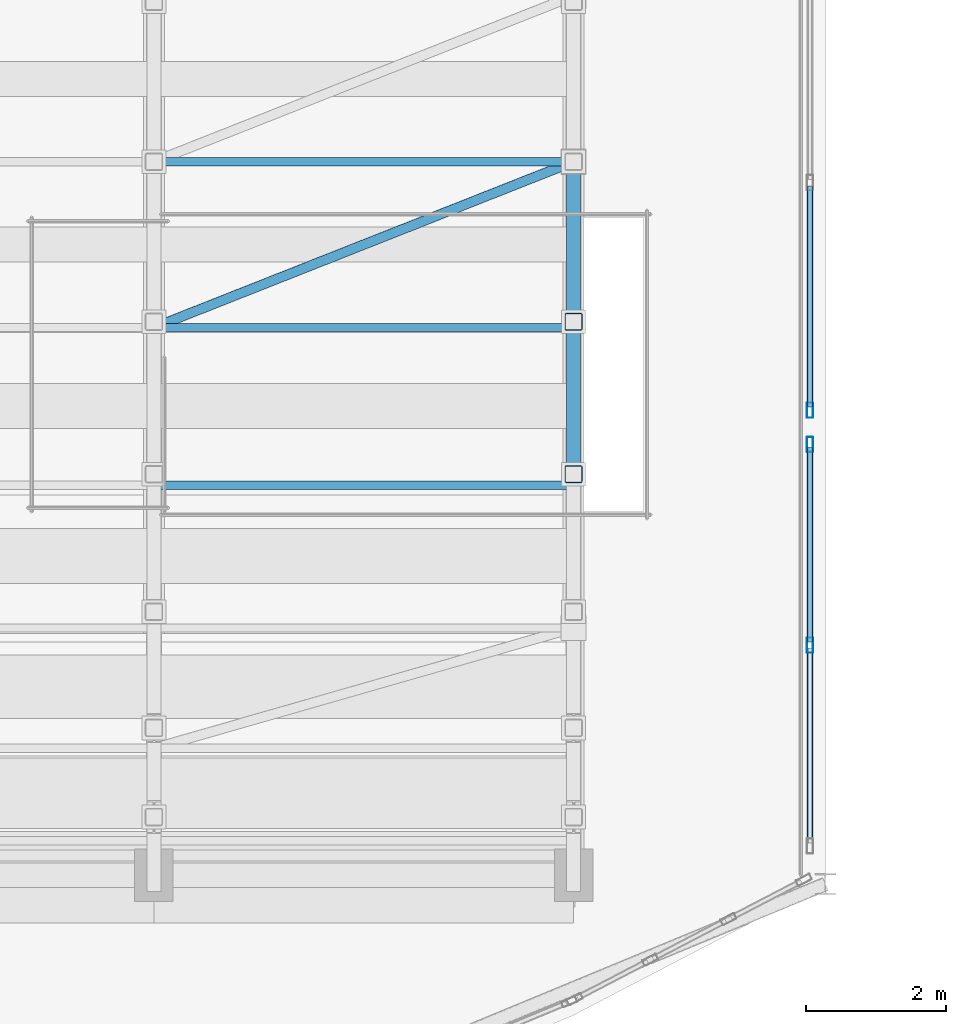
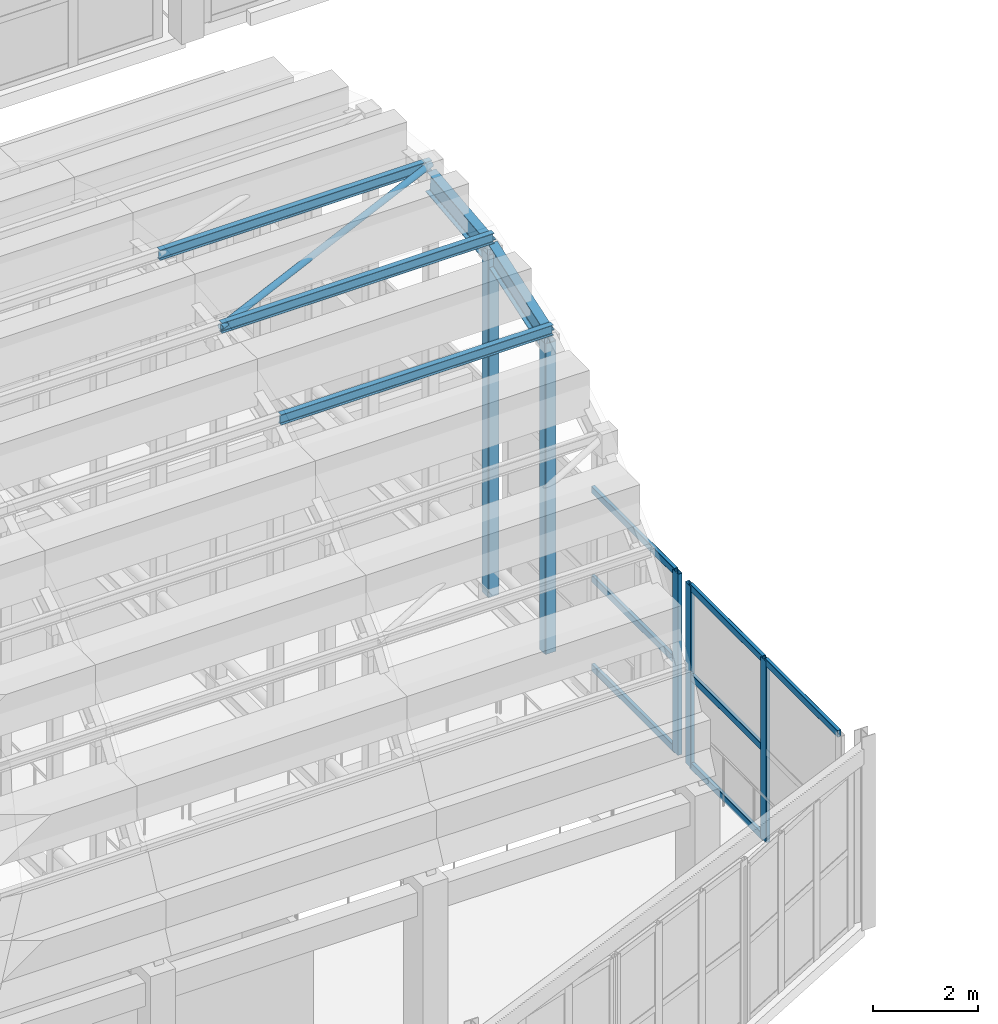
# One storey, part 13 of 91: 16 members, 2 beams, 2 elements without a shape of their own.
"""IFC4 building model written with IfcOpenShell, lengths in metres."""

from ifc_helpers import new_model, si_unit, direction, frame, origin, origin_2d, place, context, subcontext, project, spatial, hollow_rectangle, hollow_circle, i_section, extrude, material, layer, layer_set, material_profile, profile_set, type_object, element, aggregate, save


model = new_model("IFC4")

# Units and contexts
model_context = context("Model", 3, precision=1e-05, world=origin(), true_north=direction((0.0, 1.0)))
body_context = subcontext(model_context, "Body", "Model", "MODEL_VIEW")
ifc_project = project(units=[si_unit("LENGTHUNIT", "METRE"), si_unit("AREAUNIT", "SQUARE_METRE"), si_unit("VOLUMEUNIT", "CUBIC_METRE"), si_unit("PLANEANGLEUNIT", "RADIAN"), si_unit("MASSUNIT", "GRAM", prefix="KILO")], contexts=[model_context])

# Site, building, storey
site_placement = place(None, origin())
site = spatial("IfcSite", under=ifc_project, at=site_placement, CompositionType="ELEMENT")
building_placement = place(site_placement, origin())
building = spatial("IfcBuilding", under=site, at=building_placement, Name="Tarnavel Promenade Courthouse", CompositionType="ELEMENT")
storey_placement = place(building_placement, frame((0.0, 0.0, 9.89990234375)))
storey = spatial("IfcBuildingStorey", under=building, at=storey_placement, Name="L03", CompositionType="ELEMENT", Elevation=9.89990234375)

# Beams
ifc_material_1 = material(Name="Steel S355J2", Category="steel")
ifc_material_profile_1 = material_profile(ifc_material_1, i_section(OverallWidth=0.199951171875, OverallDepth=0.5, WebThickness=0.01025390625, FlangeThickness=0.01611328125, FilletRadius=0.02099609375, at=origin_2d()), Name="IPE 500")
ifc_profile_set_1 = profile_set([ifc_material_profile_1], Name="Steel S355J2")
beam_type = type_object("IfcBeamType", Name="Steel S355J2 BM-AR-IPE500 (IPE 500)", PredefinedType="T_BEAM", material=ifc_profile_set_1)
for number, where, z_axis, x_axis, name in (
    (1, (51.60009765625, 20.531494140625, 11.357177734375), (0.0, 0.946692570393, 0.322138444092), (-1.0, 0.0, 0.0), "V4 Barrel Vault Arch Rib 08 Chord 05"),
    (2, (51.60009765625, 22.711181640625, 12.098876953125), (0.0, 0.994030256649, 0.10910476097), (-1.0, 0.0, 0.0), "V4 Barrel Vault Arch Rib 08 Chord 06"),
):
    element("IfcBeam", number, at=place(storey_placement, frame(where, z_axis=z_axis, x_axis=x_axis)), inside=storey, type_object=beam_type, Name=name, PredefinedType="T_BEAM", context=body_context, shape_type="SweptSolid", body=[
        extrude(i_section(OverallWidth=0.199951171875, OverallDepth=0.5, WebThickness=0.01025390625, FlangeThickness=0.01611328125, FilletRadius=0.02099609375, at=origin_2d()), origin(), (0.0, 0.0, 1.0), 2.302490234375),
    ])

# Members
ifc_material_profile_2 = material_profile(ifc_material_1, hollow_circle(Radius=0.06982421875, WallThickness=0.008056640625, at=origin_2d()), Name="CHS 139.7x8")
ifc_profile_set_2 = profile_set([ifc_material_profile_2], Name="Steel S355J2")
member_type_1 = type_object("IfcMemberType", Name="Steel S355J2 MEM-BR-CHS140 (CHS 139.7x8)", PredefinedType="BRACE", material=ifc_profile_set_2)
member_1_placement = place(storey_placement, frame((45.60009765625, 22.62890625, 12.4697265625), z_axis=(0.929257879946, 0.367226258546, 0.040307165528), x_axis=(-0.367524932831, 0.930013668581, 0.0)))
element("IfcMember", 3, at=member_1_placement, inside=storey, type_object=member_type_1, Name="V4 Barrel Vault Roof Brace 07-05", PredefinedType="BRACE", context=body_context, shape_type="SweptSolid", body=[
    extrude(hollow_circle(Radius=0.06982421875, WallThickness=0.008056640625, at=origin_2d()), origin(), (0.0, 0.0, 1.0), 6.456787109375),
])
ifc_material_profile_3 = material_profile(ifc_material_1, i_section(OverallWidth=0.1201171875, OverallDepth=0.239990234375, WebThickness=0.006103515625, FlangeThickness=0.009765625, FilletRadius=0.014892578125, at=origin_2d()), Name="IPE 240")
ifc_profile_set_3 = profile_set([ifc_material_profile_3], Name="Steel S355J2")
member_type_2 = type_object("IfcMemberType", Name="Steel S355J2 MEM-PUR-IPE240 (IPE 240)", PredefinedType="PURLIN", material=ifc_profile_set_3)
for number, where, z_axis, x_axis, name in (
    (4, (45.60009765625, 20.37060546875, 11.701416015625), (1.0, 0.0, 0.0), (0.0, 1.0, 0.0), "V4 Barrel Vault Purlin 07-04"),
    (5, (45.60009765625, 22.62890625, 12.4697265625), (1.0, 0.0, 0.0), (0.0, 1.0, 0.0), "V4 Barrel Vault Purlin 07-05"),
    (6, (45.60009765625, 25.0, 12.72998046875), (1.0, 0.0, 0.0), (0.0, 1.0, 0.0), "V4 Barrel Vault Purlin 07-06"),
):
    element("IfcMember", number, at=place(storey_placement, frame(where, z_axis=z_axis, x_axis=x_axis)), inside=storey, type_object=member_type_2, Name=name, PredefinedType="PURLIN", context=body_context, shape_type="SweptSolid", body=[
        extrude(i_section(OverallWidth=0.1201171875, OverallDepth=0.239990234375, WebThickness=0.006103515625, FlangeThickness=0.009765625, FilletRadius=0.014892578125, at=origin_2d()), origin(), (0.0, 0.0, 1.0), 6.0),
    ])
ifc_material_profile_4 = material_profile(ifc_material_1, hollow_rectangle(XDim=0.25, YDim=0.25, WallThickness=0.012451171875, InnerFilletRadius=0.012451171875, OuterFilletRadius=0.02490234375, at=origin_2d()), Name="SHS 250x250x12.5")
ifc_profile_set_4 = profile_set([ifc_material_profile_4], Name="Steel S355J2")
member_type_3 = type_object("IfcMemberType", Name="Steel S355J2 MEM-STR-SHS250 (SHS 250x250x12.5)", PredefinedType="STRUT", material=ifc_profile_set_4)
member_2_placement = place(storey_placement, frame((51.60009765625, 20.531494140625, 4.1201171875), z_axis=(0.0, 0.0, 1.0), x_axis=(1.0, 0.0, 0.0)))
element("IfcMember", 7, at=member_2_placement, inside=storey, type_object=member_type_3, Name="V4 Vault Arch Web Strut 08-04", PredefinedType="STRUT", context=body_context, shape_type="SweptSolid", body=[
    extrude(hollow_rectangle(XDim=0.25, YDim=0.25, WallThickness=0.012451171875, InnerFilletRadius=0.012451171875, OuterFilletRadius=0.02490234375, at=origin_2d()), origin(), (0.0, 0.0, 1.0), 7.237060546875),
])
member_3_placement = place(storey_placement, frame((51.60009765625, 22.711181640625, 4.1201171875), z_axis=(0.0, 0.0, 1.0), x_axis=(1.0, 0.0, 0.0)))
element("IfcMember", 8, at=member_3_placement, inside=storey, type_object=member_type_3, Name="V4 Vault Arch Web Strut 08-05", PredefinedType="STRUT", context=body_context, shape_type="SweptSolid", body=[
    extrude(hollow_rectangle(XDim=0.25, YDim=0.25, WallThickness=0.012451171875, InnerFilletRadius=0.012451171875, OuterFilletRadius=0.02490234375, at=origin_2d()), origin(), (0.0, 0.0, 1.0), 7.978759765625),
])

# Curtain wall, members
ifc_material_2 = material(Name="Thermally Broken Anodised Aluminium Curtain Wall System", Category="aluminium")
ifc_layer = layer(ifc_material_2, 0.219970703125)
ifc_layer_set = layer_set([ifc_layer], Name="Thermally Broken Anodised Aluminium Curtain Wall System")
curtain_wall_type = type_object("IfcCurtainWallType", Name="Thermally Broken Aluminium Triple-Glazed Curtain Wall CW-DRUM", PredefinedType="NOTDEFINED", material=ifc_layer_set)
curtain_wall_1_placement = place(storey_placement, origin())
curtain_wall_1 = element("IfcCurtainWall", 9, at=curtain_wall_1_placement, inside=storey, type_object=curtain_wall_type, Name="L03 Public Drum East Return Curtain Wall 039", PredefinedType="NOTDEFINED")
ifc_material_3 = material(Name="Thermally Broken Anodised Aluminium Frame", Category="aluminium")
ifc_material_profile_5 = material_profile(ifc_material_3, hollow_rectangle(XDim=0.090087890625, YDim=0.219970703125, WallThickness=0.0048828125, InnerFilletRadius=0.0048828125, OuterFilletRadius=0.010009765625, at=origin_2d()), Name="CWM 220x90x5")
ifc_profile_set_5 = profile_set([ifc_material_profile_5], Name="Thermally Broken Anodised Aluminium Frame")
member_type_4 = type_object("IfcMemberType", Name="Thermally Broken Anodised Aluminium CWM-175 (CWM 220x90x5)", PredefinedType="MULLION", material=ifc_profile_set_5)
member_4_placement = place(storey_placement, frame((54.97998046875, 18.0849609375, 0.0), z_axis=(0.0, 0.0, 1.0), x_axis=(-1.0, 0.0, 0.0)))
member_4 = element("IfcMember", 10, at=member_4_placement, type_object=member_type_4, Name="CW-01 mullion 2", PredefinedType="MULLION", context=body_context, shape_type="SweptSolid", body=[
    extrude(hollow_rectangle(XDim=0.090087890625, YDim=0.219970703125, WallThickness=0.0048828125, InnerFilletRadius=0.0048828125, OuterFilletRadius=0.010009765625, at=origin_2d()), origin(), (0.0, 0.0, 1.0), 4.22021484375),
])
member_5_placement = place(storey_placement, frame((54.97998046875, 20.955078125, 0.0), z_axis=(0.0, 0.0, 1.0), x_axis=(-1.0, 0.0, 0.0)))
member_5 = element("IfcMember", 11, at=member_5_placement, type_object=member_type_4, Name="CW-01 mullion 3", PredefinedType="MULLION", context=body_context, shape_type="SweptSolid", body=[
    extrude(hollow_rectangle(XDim=0.090087890625, YDim=0.219970703125, WallThickness=0.0048828125, InnerFilletRadius=0.0048828125, OuterFilletRadius=0.010009765625, at=origin_2d()), origin(), (0.0, 0.0, 1.0), 4.22021484375),
])

# Curtain wall, member
curtain_wall_2_placement = place(storey_placement, origin())
curtain_wall_2 = element("IfcCurtainWall", 12, at=curtain_wall_2_placement, inside=storey, type_object=curtain_wall_type, Name="L03 Public Drum East Return Curtain Wall 040", PredefinedType="NOTDEFINED")
member_6_placement = place(storey_placement, frame((54.97998046875, 21.445068359375, 0.0), z_axis=(0.0, 0.0, 1.0), x_axis=(-1.0, 0.0, 0.0)))
member_6 = element("IfcMember", 13, at=member_6_placement, type_object=member_type_4, Name="CW-01 mullion 1", PredefinedType="MULLION", context=body_context, shape_type="SweptSolid", body=[
    extrude(hollow_rectangle(XDim=0.090087890625, YDim=0.219970703125, WallThickness=0.0048828125, InnerFilletRadius=0.0048828125, OuterFilletRadius=0.010009765625, at=origin_2d()), origin(), (0.0, 0.0, 1.0), 4.22021484375),
])

# Member
ifc_material_profile_6 = material_profile(ifc_material_3, hollow_rectangle(XDim=0.080078125, YDim=0.159912109375, WallThickness=0.0048828125, InnerFilletRadius=0.0048828125, OuterFilletRadius=0.010009765625, at=origin_2d()), Name="CWT 160x80x5")
ifc_profile_set_6 = profile_set([ifc_material_profile_6], Name="Thermally Broken Anodised Aluminium Frame")
member_type_5 = type_object("IfcMemberType", Name="Thermally Broken Anodised Aluminium CWT-145 (CWT 160x80x5)", PredefinedType="USERDEFINED", material=ifc_profile_set_6)
member_7_placement = place(storey_placement, frame((54.97998046875, 15.260009765625, 4.18017578125), z_axis=(0.0, 1.0, 0.0), x_axis=(-1.0, 0.0, 0.0)))
member_7 = element("IfcMember", 14, at=member_7_placement, type_object=member_type_5, Name="CW-01 transom 1.3", ObjectType="TRANSOM", PredefinedType="USERDEFINED", context=body_context, shape_type="SweptSolid", body=[
    extrude(hollow_rectangle(XDim=0.080078125, YDim=0.159912109375, WallThickness=0.0048828125, InnerFilletRadius=0.0048828125, OuterFilletRadius=0.010009765625, at=origin_2d()), origin(), (0.0, 0.0, 1.0), 2.780029296875),
])

member_8_placement = place(storey_placement, frame((54.97998046875, 18.130126953125, 0.0400390625), z_axis=(0.0, 1.0, 0.0), x_axis=(-1.0, 0.0, 0.0)))
member_8 = element("IfcMember", 15, at=member_8_placement, type_object=member_type_5, Name="CW-01 transom 2.1", ObjectType="TRANSOM", PredefinedType="USERDEFINED", context=body_context, shape_type="SweptSolid", body=[
    extrude(hollow_rectangle(XDim=0.080078125, YDim=0.159912109375, WallThickness=0.0048828125, InnerFilletRadius=0.0048828125, OuterFilletRadius=0.010009765625, at=origin_2d()), origin(), (0.0, 0.0, 1.0), 2.77978515625),
])

member_9_placement = place(storey_placement, frame((54.97998046875, 18.130126953125, 2.110107421875), z_axis=(0.0, 1.0, 0.0), x_axis=(-1.0, 0.0, 0.0)))
member_9 = element("IfcMember", 16, at=member_9_placement, type_object=member_type_5, Name="CW-01 transom 2.2", ObjectType="TRANSOM", PredefinedType="USERDEFINED", context=body_context, shape_type="SweptSolid", body=[
    extrude(hollow_rectangle(XDim=0.080078125, YDim=0.159912109375, WallThickness=0.0048828125, InnerFilletRadius=0.0048828125, OuterFilletRadius=0.010009765625, at=origin_2d()), origin(), (0.0, 0.0, 1.0), 2.77978515625),
])

member_10_placement = place(storey_placement, frame((54.97998046875, 18.130126953125, 4.18017578125), z_axis=(0.0, 1.0, 0.0), x_axis=(-1.0, 0.0, 0.0)))
member_10 = element("IfcMember", 17, at=member_10_placement, type_object=member_type_5, Name="CW-01 transom 2.3", ObjectType="TRANSOM", PredefinedType="USERDEFINED", context=body_context, shape_type="SweptSolid", body=[
    extrude(hollow_rectangle(XDim=0.080078125, YDim=0.159912109375, WallThickness=0.0048828125, InnerFilletRadius=0.0048828125, OuterFilletRadius=0.010009765625, at=origin_2d()), origin(), (0.0, 0.0, 1.0), 2.77978515625),
])

aggregate(curtain_wall_1, [member_4, member_5, member_7, member_8, member_9, member_10])

member_11_placement = place(storey_placement, frame((54.97998046875, 21.489990234375, 0.0400390625), z_axis=(0.0, 1.0, 0.0), x_axis=(-1.0, 0.0, 0.0)))
member_11 = element("IfcMember", 18, at=member_11_placement, type_object=member_type_5, Name="CW-01 transom 1.1", ObjectType="TRANSOM", PredefinedType="USERDEFINED", context=body_context, shape_type="SweptSolid", body=[
    extrude(hollow_rectangle(XDim=0.080078125, YDim=0.159912109375, WallThickness=0.0048828125, InnerFilletRadius=0.0048828125, OuterFilletRadius=0.010009765625, at=origin_2d()), origin(), (0.0, 0.0, 1.0), 3.1650390625),
])

member_12_placement = place(storey_placement, frame((54.97998046875, 21.489990234375, 2.110107421875), z_axis=(0.0, 1.0, 0.0), x_axis=(-1.0, 0.0, 0.0)))
member_12 = element("IfcMember", 19, at=member_12_placement, type_object=member_type_5, Name="CW-01 transom 1.2", ObjectType="TRANSOM", PredefinedType="USERDEFINED", context=body_context, shape_type="SweptSolid", body=[
    extrude(hollow_rectangle(XDim=0.080078125, YDim=0.159912109375, WallThickness=0.0048828125, InnerFilletRadius=0.0048828125, OuterFilletRadius=0.010009765625, at=origin_2d()), origin(), (0.0, 0.0, 1.0), 3.1650390625),
])

member_13_placement = place(storey_placement, frame((54.97998046875, 21.489990234375, 4.18017578125), z_axis=(0.0, 1.0, 0.0), x_axis=(-1.0, 0.0, 0.0)))
member_13 = element("IfcMember", 20, at=member_13_placement, type_object=member_type_5, Name="CW-01 transom 1.3", ObjectType="TRANSOM", PredefinedType="USERDEFINED", context=body_context, shape_type="SweptSolid", body=[
    extrude(hollow_rectangle(XDim=0.080078125, YDim=0.159912109375, WallThickness=0.0048828125, InnerFilletRadius=0.0048828125, OuterFilletRadius=0.010009765625, at=origin_2d()), origin(), (0.0, 0.0, 1.0), 3.1650390625),
])

aggregate(curtain_wall_2, [member_6, member_11, member_12, member_13])

save(model, "model.ifc")
